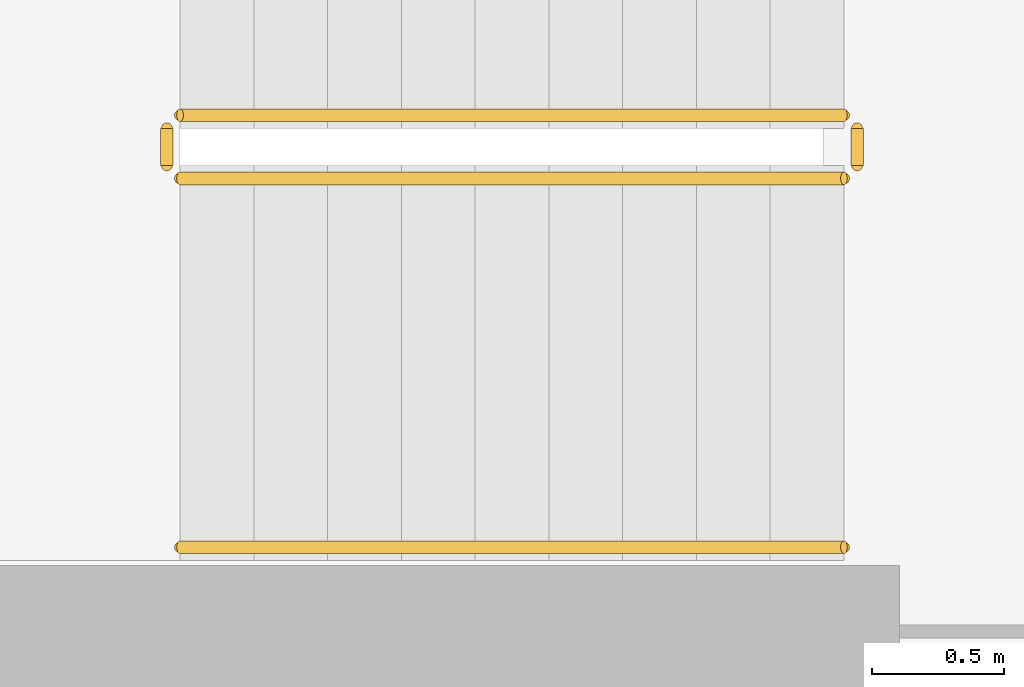
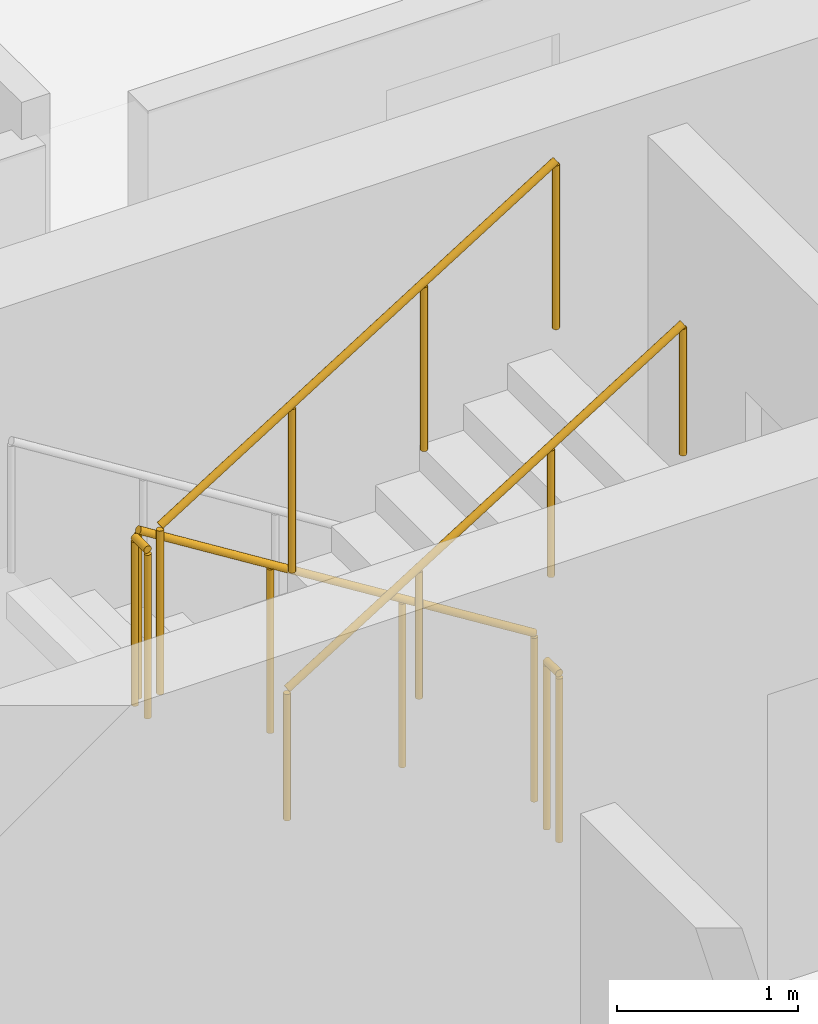
# One storey, part 25 of 27: 5 railings.
"""IFC4 building model written with IfcOpenShell, lengths in metres."""

from ifc_helpers import new_model, si_unit, derived_unit, direction, frame, origin, origin_2d, place, context, subcontext, project, spatial, circle, extrude, material, type_object, element, save


model = new_model("IFC4")

# Units and contexts
model_context = context("Model", 3, precision=1e-05, world=origin(), true_north=direction((0.0, 1.0)))
body_context = subcontext(model_context, "Body", "Model", "MODEL_VIEW")
ifc_project = project(units=[si_unit("LENGTHUNIT", "METRE"), si_unit("AREAUNIT", "SQUARE_METRE"), si_unit("VOLUMEUNIT", "CUBIC_METRE"), si_unit("PLANEANGLEUNIT", "RADIAN"), si_unit("MASSUNIT", "GRAM", prefix="KILO"), derived_unit("THERMALTRANSMITTANCEUNIT", [(si_unit("POWERUNIT", "WATT"), 1), (si_unit("LENGTHUNIT", "METRE"), -2), (si_unit("THERMODYNAMICTEMPERATUREUNIT", "KELVIN"), -1)])], contexts=[model_context])

# Site, building, storey
site_placement = place(None, origin())
site = spatial("IfcSite", under=ifc_project, at=site_placement, CompositionType="ELEMENT")
building_placement = place(site_placement, origin())
building = spatial("IfcBuilding", under=site, at=building_placement, Name="Kivonza Crest Hotel", CompositionType="ELEMENT")
storey_placement = place(building_placement, frame((0.0, 0.0, 73.0)))
storey = spatial("IfcBuildingStorey", under=building, at=storey_placement, Name="L19", CompositionType="ELEMENT", Elevation=73.0)

# Railings
ifc_material_1 = material(Name="Brushed stainless steel handrail", Category="steel")
railing_type_1 = type_object("IfcRailingType", Name="RL-HAND-900", PredefinedType="HANDRAIL", material=ifc_material_1)
railing_1_placement = place(storey_placement, frame((9.719970703125, 33.070068359375, 1.925048828125)))
element("IfcRailing", 1, at=railing_1_placement, inside=storey, type_object=railing_type_1, Name="L19 ST-T1-N stair handrail 2", PredefinedType="HANDRAIL", context=body_context, shape_type="SweptSolid", body=[
    extrude(circle(Radius=0.02392578125, at=origin_2d()), frame((0.0, 0.0, 0.8759765625), z_axis=(0.848007534815, 0.0, 0.529984170421), x_axis=(0.0, 1.0, 0.0)), (0.0, 0.0, 1.0), 2.9716796875),
    extrude(circle(Radius=0.02099609375, at=origin_2d()), origin(), (0.0, 0.0, 1.0), 0.851806640625),
    extrude(circle(Radius=0.02099609375, at=origin_2d()), frame((0.840087890625, 0.0, 0.52490234375)), (0.0, 0.0, 1.0), 0.851806640625),
    extrude(circle(Radius=0.02099609375, at=origin_2d()), frame((1.679931640625, 0.0, 1.050048828125)), (0.0, 0.0, 1.0), 0.851806640625),
    extrude(circle(Radius=0.02099609375, at=origin_2d()), frame((2.52001953125, 0.0, 1.574951171875)), (0.0, 0.0, 1.0), 0.851806640625),
])
ifc_material_2 = material(Name="Painted steel balustrade", Category="steel")
railing_type_2 = type_object("IfcRailingType", Name="RL-STAIR-1150", PredefinedType="BALUSTRADE", material=ifc_material_2)
railing_2_placement = place(storey_placement, frame((12.239990234375, 34.7099609375, 0.175048828125)))
element("IfcRailing", 2, at=railing_2_placement, inside=storey, type_object=railing_type_2, Name="L19 ST-T1-N stair guard 1", PredefinedType="BALUSTRADE", context=body_context, shape_type="SweptSolid", body=[
    extrude(circle(Radius=0.02392578125, at=origin_2d()), frame((0.0, 0.0, 1.1259765625), z_axis=(-0.848007534815, 0.0, 0.529984170421), x_axis=(0.0, -1.0, 0.0)), (0.0, 0.0, 1.0), 2.9716796875),
    extrude(circle(Radius=0.02099609375, at=origin_2d()), origin(), (0.0, 0.0, 1.0), 1.101806640625),
    extrude(circle(Radius=0.02099609375, at=origin_2d()), frame((-0.840087890625, 0.0, 0.52490234375)), (0.0, 0.0, 1.0), 1.101806640625),
    extrude(circle(Radius=0.02099609375, at=origin_2d()), frame((-1.679931640625, 0.0, 1.050048828125)), (0.0, 0.0, 1.0), 1.101806640625),
    extrude(circle(Radius=0.02099609375, at=origin_2d()), frame((-2.52001953125, 0.0, 1.574951171875)), (0.0, 0.0, 1.0), 1.101806640625),
])
railing_3_placement = place(storey_placement, frame((9.669921875, 34.659912109375, 1.75)))
element("IfcRailing", 3, at=railing_3_placement, inside=storey, type_object=railing_type_2, Name="L19 ST-T1-N stair guard 2", PredefinedType="BALUSTRADE", context=body_context, shape_type="SweptSolid", body=[
    extrude(circle(Radius=0.02392578125, at=origin_2d()), frame((0.0, 0.0, 1.1259765625), z_axis=(0.0, -1.0, 0.0), x_axis=(1.0, 0.0, 0.0)), (0.0, 0.0, 1.0), 0.139892578125),
    extrude(circle(Radius=0.02099609375, at=origin_2d()), origin(), (0.0, 0.0, 1.0), 1.101806640625),
    extrude(circle(Radius=0.02099609375, at=origin_2d()), frame((0.0, -0.139892578125, 0.0)), (0.0, 0.0, 1.0), 1.101806640625),
])
railing_4_placement = place(storey_placement, frame((9.719970703125, 34.469970703125, 1.925048828125)))
element("IfcRailing", 4, at=railing_4_placement, inside=storey, type_object=railing_type_2, Name="L19 ST-T1-N stair guard 3", PredefinedType="BALUSTRADE", context=body_context, shape_type="SweptSolid", body=[
    extrude(circle(Radius=0.02392578125, at=origin_2d()), frame((0.0, 0.0, 1.1259765625), z_axis=(0.848007534815, 0.0, 0.529984170421), x_axis=(0.0, 1.0, 0.0)), (0.0, 0.0, 1.0), 2.9716796875),
    extrude(circle(Radius=0.02099609375, at=origin_2d()), origin(), (0.0, 0.0, 1.0), 1.101806640625),
    extrude(circle(Radius=0.02099609375, at=origin_2d()), frame((0.840087890625, 0.0, 0.52490234375)), (0.0, 0.0, 1.0), 1.101806640625),
    extrude(circle(Radius=0.02099609375, at=origin_2d()), frame((1.679931640625, 0.0, 1.050048828125)), (0.0, 0.0, 1.0), 1.101806640625),
    extrude(circle(Radius=0.02099609375, at=origin_2d()), frame((2.52001953125, 0.0, 1.574951171875)), (0.0, 0.0, 1.0), 1.101806640625),
])
railing_5_placement = place(storey_placement, frame((12.2900390625, 34.659912109375, 0.0)))
element("IfcRailing", 5, at=railing_5_placement, inside=storey, type_object=railing_type_2, Name="L19 ST-T1-N stair guard 4", PredefinedType="BALUSTRADE", context=body_context, shape_type="SweptSolid", body=[
    extrude(circle(Radius=0.02392578125, at=origin_2d()), frame((0.0, 0.0, 1.1259765625), z_axis=(0.0, -1.0, 0.0), x_axis=(1.0, 0.0, 0.0)), (0.0, 0.0, 1.0), 0.139892578125),
    extrude(circle(Radius=0.02099609375, at=origin_2d()), origin(), (0.0, 0.0, 1.0), 1.101806640625),
    extrude(circle(Radius=0.02099609375, at=origin_2d()), frame((0.0, -0.139892578125, 0.0)), (0.0, 0.0, 1.0), 1.101806640625),
])

save(model, "model.ifc")
